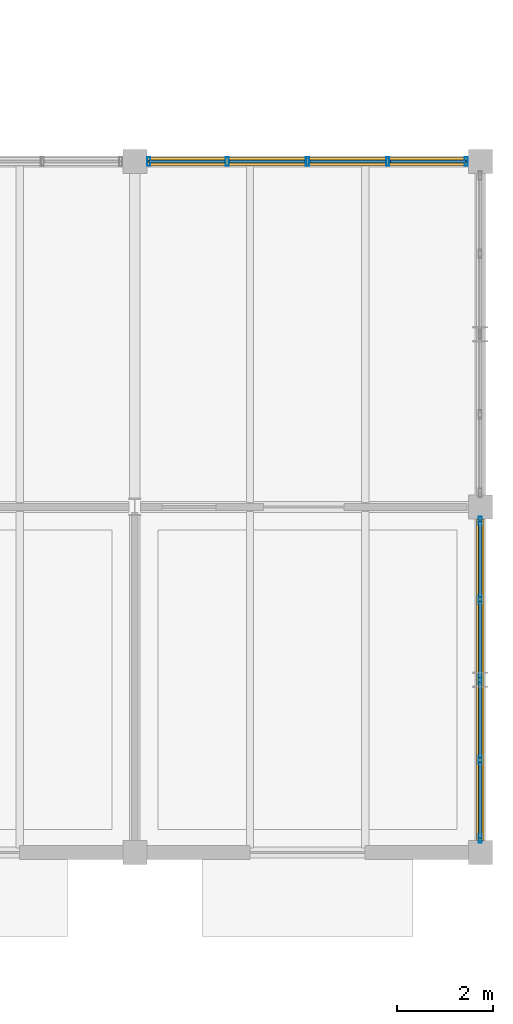
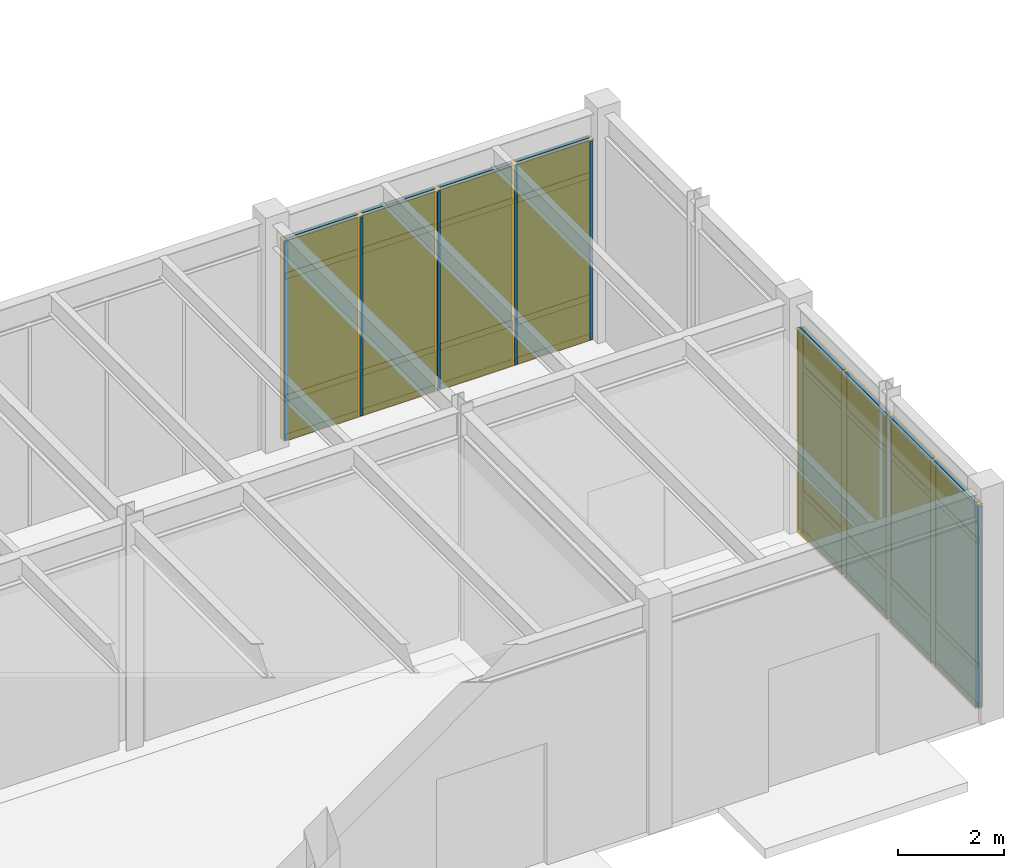
# One storey, part 79 of 97: 42 members, 16 plates, 2 curtain walls.
"""IFC4 building model written with IfcOpenShell, lengths in metres."""

from ifc_helpers import new_model, si_unit, direction, frame, origin, origin_2d, place, context, subcontext, project, spatial, rectangle, hollow_rectangle, extrude, material, layer, layer_set, material_profile, profile_set, type_object, element, aggregate, save


model = new_model("IFC4")

# Units and contexts
model_context = context("Model", 3, precision=1e-05, world=origin(), true_north=direction((0.0, 1.0)))
body_context = subcontext(model_context, "Body", "Model", "MODEL_VIEW")
ifc_project = project(units=[si_unit("LENGTHUNIT", "METRE"), si_unit("AREAUNIT", "SQUARE_METRE"), si_unit("VOLUMEUNIT", "CUBIC_METRE"), si_unit("PLANEANGLEUNIT", "RADIAN"), si_unit("MASSUNIT", "GRAM", prefix="KILO")], contexts=[model_context])

# Member
ifc_material_1 = material(Name="Anodized Aluminium 6063-T6", Category="aluminium")
ifc_material_profile_1 = material_profile(ifc_material_1, hollow_rectangle(XDim=0.06494140625, YDim=0.179931640625, WallThickness=0.00390625, at=origin_2d()), Name="ALU 65x180x4")
ifc_profile_set_1 = profile_set([ifc_material_profile_1], Name="Anodized Aluminium 6063-T6")
member_type_1 = type_object("IfcMemberType", Name="CWM-65X150", PredefinedType="MULLION", material=ifc_profile_set_1)
site_placement = place(None, origin())
building_placement = place(site_placement, origin())
storey_placement = place(building_placement, origin())
member_1_placement = place(storey_placement, frame((172.800048828125, 21.31005859375, 0.02001953125), z_axis=(0.0, 0.0, 1.0), x_axis=(1.0, 0.0, 0.0)))
member_1 = element("IfcMember", 1, at=member_1_placement, type_object=member_type_1, Name="Curtain wall mullion CW-L01-23-02-E-00", PredefinedType="MULLION", context=body_context, shape_type="SweptSolid", body=[
    extrude(hollow_rectangle(XDim=0.06494140625, YDim=0.179931640625, WallThickness=0.00390625, at=origin_2d()), origin(), (0.0, 0.0, 1.0), 4.626953125),
])

member_2_placement = place(storey_placement, frame((172.800048828125, 19.675048828125, 0.02001953125), z_axis=(0.0, 0.0, 1.0), x_axis=(1.0, 0.0, 0.0)))
member_2 = element("IfcMember", 2, at=member_2_placement, type_object=member_type_1, Name="Curtain wall mullion CW-L01-23-02-E-01", PredefinedType="MULLION", context=body_context, shape_type="SweptSolid", body=[
    extrude(hollow_rectangle(XDim=0.06494140625, YDim=0.179931640625, WallThickness=0.00390625, at=origin_2d()), origin(), (0.0, 0.0, 1.0), 4.626953125),
])

member_3_placement = place(storey_placement, frame((172.800048828125, 18.0, 0.02001953125), z_axis=(0.0, 0.0, 1.0), x_axis=(1.0, 0.0, 0.0)))
member_3 = element("IfcMember", 3, at=member_3_placement, type_object=member_type_1, Name="Curtain wall mullion CW-L01-23-02-E-02", PredefinedType="MULLION", context=body_context, shape_type="SweptSolid", body=[
    extrude(hollow_rectangle(XDim=0.06494140625, YDim=0.179931640625, WallThickness=0.00390625, at=origin_2d()), origin(), (0.0, 0.0, 1.0), 4.626953125),
])

member_4_placement = place(storey_placement, frame((172.800048828125, 16.324951171875, 0.02001953125), z_axis=(0.0, 0.0, 1.0), x_axis=(1.0, 0.0, 0.0)))
member_4 = element("IfcMember", 4, at=member_4_placement, type_object=member_type_1, Name="Curtain wall mullion CW-L01-23-02-E-03", PredefinedType="MULLION", context=body_context, shape_type="SweptSolid", body=[
    extrude(hollow_rectangle(XDim=0.06494140625, YDim=0.179931640625, WallThickness=0.00390625, at=origin_2d()), origin(), (0.0, 0.0, 1.0), 4.626953125),
])

member_5_placement = place(storey_placement, frame((172.800048828125, 14.68994140625, 0.02001953125), z_axis=(0.0, 0.0, 1.0), x_axis=(1.0, 0.0, 0.0)))
member_5 = element("IfcMember", 5, at=member_5_placement, type_object=member_type_1, Name="Curtain wall mullion CW-L01-23-02-E-04", PredefinedType="MULLION", context=body_context, shape_type="SweptSolid", body=[
    extrude(hollow_rectangle(XDim=0.06494140625, YDim=0.179931640625, WallThickness=0.00390625, at=origin_2d()), origin(), (0.0, 0.0, 1.0), 4.626953125),
])

member_6_placement = place(storey_placement, frame((165.889892578125, 28.800048828125, 0.02001953125), z_axis=(0.0, 0.0, 1.0), x_axis=(1.0, 0.0, 0.0)))
member_6 = element("IfcMember", 6, at=member_6_placement, type_object=member_type_1, Name="Curtain wall mullion CW-L01-23-03-N-00", PredefinedType="MULLION", context=body_context, shape_type="SweptSolid", body=[
    extrude(hollow_rectangle(XDim=0.06494140625, YDim=0.179931640625, WallThickness=0.00390625, at=origin_2d()), origin(), (0.0, 0.0, 1.0), 4.557861328125),
])

member_7_placement = place(storey_placement, frame((167.52490234375, 28.800048828125, 0.02001953125), z_axis=(0.0, 0.0, 1.0), x_axis=(1.0, 0.0, 0.0)))
member_7 = element("IfcMember", 7, at=member_7_placement, type_object=member_type_1, Name="Curtain wall mullion CW-L01-23-03-N-01", PredefinedType="MULLION", context=body_context, shape_type="SweptSolid", body=[
    extrude(hollow_rectangle(XDim=0.06494140625, YDim=0.179931640625, WallThickness=0.00390625, at=origin_2d()), origin(), (0.0, 0.0, 1.0), 4.557861328125),
])

member_8_placement = place(storey_placement, frame((169.199951171875, 28.800048828125, 0.02001953125), z_axis=(0.0, 0.0, 1.0), x_axis=(1.0, 0.0, 0.0)))
member_8 = element("IfcMember", 8, at=member_8_placement, type_object=member_type_1, Name="Curtain wall mullion CW-L01-23-03-N-02", PredefinedType="MULLION", context=body_context, shape_type="SweptSolid", body=[
    extrude(hollow_rectangle(XDim=0.06494140625, YDim=0.179931640625, WallThickness=0.00390625, at=origin_2d()), origin(), (0.0, 0.0, 1.0), 4.557861328125),
])

member_9_placement = place(storey_placement, frame((170.875, 28.800048828125, 0.02001953125), z_axis=(0.0, 0.0, 1.0), x_axis=(1.0, 0.0, 0.0)))
member_9 = element("IfcMember", 9, at=member_9_placement, type_object=member_type_1, Name="Curtain wall mullion CW-L01-23-03-N-03", PredefinedType="MULLION", context=body_context, shape_type="SweptSolid", body=[
    extrude(hollow_rectangle(XDim=0.06494140625, YDim=0.179931640625, WallThickness=0.00390625, at=origin_2d()), origin(), (0.0, 0.0, 1.0), 4.557861328125),
])

member_10_placement = place(storey_placement, frame((172.510009765625, 28.800048828125, 0.02001953125), z_axis=(0.0, 0.0, 1.0), x_axis=(1.0, 0.0, 0.0)))
member_10 = element("IfcMember", 10, at=member_10_placement, type_object=member_type_1, Name="Curtain wall mullion CW-L01-23-03-N-04", PredefinedType="MULLION", context=body_context, shape_type="SweptSolid", body=[
    extrude(hollow_rectangle(XDim=0.06494140625, YDim=0.179931640625, WallThickness=0.00390625, at=origin_2d()), origin(), (0.0, 0.0, 1.0), 4.557861328125),
])

ifc_material_profile_2 = material_profile(ifc_material_1, hollow_rectangle(XDim=0.06494140625, YDim=0.139892578125, WallThickness=0.00390625, at=origin_2d()), Name="ALU 65x140x4")
ifc_profile_set_2 = profile_set([ifc_material_profile_2], Name="Anodized Aluminium 6063-T6")
member_type_2 = type_object("IfcMemberType", Name="CWT-65X120", PredefinedType="USERDEFINED", material=ifc_profile_set_2)
member_11_placement = place(storey_placement, frame((172.800048828125, 21.300048828125, 0.050048828125), z_axis=(0.0, -1.0, 0.0), x_axis=(1.0, 0.0, 0.0)))
member_11 = element("IfcMember", 11, at=member_11_placement, type_object=member_type_2, Name="Curtain wall transom CW-L01-23-02-E-1.01", ObjectType="TRANSOM", PredefinedType="USERDEFINED", context=body_context, shape_type="SweptSolid", body=[
    extrude(hollow_rectangle(XDim=0.06494140625, YDim=0.139892578125, WallThickness=0.00390625, at=origin_2d()), origin(), (0.0, 0.0, 1.0), 1.574951171875),
])

member_12_placement = place(storey_placement, frame((172.800048828125, 19.625, 0.050048828125), z_axis=(0.0, -1.0, 0.0), x_axis=(1.0, 0.0, 0.0)))
member_12 = element("IfcMember", 12, at=member_12_placement, type_object=member_type_2, Name="Curtain wall transom CW-L01-23-02-E-1.02", ObjectType="TRANSOM", PredefinedType="USERDEFINED", context=body_context, shape_type="SweptSolid", body=[
    extrude(hollow_rectangle(XDim=0.06494140625, YDim=0.139892578125, WallThickness=0.00390625, at=origin_2d()), origin(), (0.0, 0.0, 1.0), 1.574951171875),
])

member_13_placement = place(storey_placement, frame((172.800048828125, 17.949951171875, 0.050048828125), z_axis=(0.0, -1.0, 0.0), x_axis=(1.0, 0.0, 0.0)))
member_13 = element("IfcMember", 13, at=member_13_placement, type_object=member_type_2, Name="Curtain wall transom CW-L01-23-02-E-1.03", ObjectType="TRANSOM", PredefinedType="USERDEFINED", context=body_context, shape_type="SweptSolid", body=[
    extrude(hollow_rectangle(XDim=0.06494140625, YDim=0.139892578125, WallThickness=0.00390625, at=origin_2d()), origin(), (0.0, 0.0, 1.0), 1.574951171875),
])

member_14_placement = place(storey_placement, frame((172.800048828125, 16.27490234375, 0.050048828125), z_axis=(0.0, -1.0, 0.0), x_axis=(1.0, 0.0, 0.0)))
member_14 = element("IfcMember", 14, at=member_14_placement, type_object=member_type_2, Name="Curtain wall transom CW-L01-23-02-E-1.04", ObjectType="TRANSOM", PredefinedType="USERDEFINED", context=body_context, shape_type="SweptSolid", body=[
    extrude(hollow_rectangle(XDim=0.06494140625, YDim=0.139892578125, WallThickness=0.00390625, at=origin_2d()), origin(), (0.0, 0.0, 1.0), 1.574951171875),
])

member_15_placement = place(storey_placement, frame((172.800048828125, 21.300048828125, 0.949951171875), z_axis=(0.0, -1.0, 0.0), x_axis=(1.0, 0.0, 0.0)))
member_15 = element("IfcMember", 15, at=member_15_placement, type_object=member_type_2, Name="Curtain wall transom CW-L01-23-02-E-2.01", ObjectType="TRANSOM", PredefinedType="USERDEFINED", context=body_context, shape_type="SweptSolid", body=[
    extrude(hollow_rectangle(XDim=0.06494140625, YDim=0.139892578125, WallThickness=0.00390625, at=origin_2d()), origin(), (0.0, 0.0, 1.0), 1.574951171875),
])

member_16_placement = place(storey_placement, frame((172.800048828125, 19.625, 0.949951171875), z_axis=(0.0, -1.0, 0.0), x_axis=(1.0, 0.0, 0.0)))
member_16 = element("IfcMember", 16, at=member_16_placement, type_object=member_type_2, Name="Curtain wall transom CW-L01-23-02-E-2.02", ObjectType="TRANSOM", PredefinedType="USERDEFINED", context=body_context, shape_type="SweptSolid", body=[
    extrude(hollow_rectangle(XDim=0.06494140625, YDim=0.139892578125, WallThickness=0.00390625, at=origin_2d()), origin(), (0.0, 0.0, 1.0), 1.574951171875),
])

member_17_placement = place(storey_placement, frame((172.800048828125, 17.949951171875, 0.949951171875), z_axis=(0.0, -1.0, 0.0), x_axis=(1.0, 0.0, 0.0)))
member_17 = element("IfcMember", 17, at=member_17_placement, type_object=member_type_2, Name="Curtain wall transom CW-L01-23-02-E-2.03", ObjectType="TRANSOM", PredefinedType="USERDEFINED", context=body_context, shape_type="SweptSolid", body=[
    extrude(hollow_rectangle(XDim=0.06494140625, YDim=0.139892578125, WallThickness=0.00390625, at=origin_2d()), origin(), (0.0, 0.0, 1.0), 1.574951171875),
])

member_18_placement = place(storey_placement, frame((172.800048828125, 16.27490234375, 0.949951171875), z_axis=(0.0, -1.0, 0.0), x_axis=(1.0, 0.0, 0.0)))
member_18 = element("IfcMember", 18, at=member_18_placement, type_object=member_type_2, Name="Curtain wall transom CW-L01-23-02-E-2.04", ObjectType="TRANSOM", PredefinedType="USERDEFINED", context=body_context, shape_type="SweptSolid", body=[
    extrude(hollow_rectangle(XDim=0.06494140625, YDim=0.139892578125, WallThickness=0.00390625, at=origin_2d()), origin(), (0.0, 0.0, 1.0), 1.574951171875),
])

member_19_placement = place(storey_placement, frame((172.800048828125, 21.300048828125, 3.81689453125), z_axis=(0.0, -1.0, 0.0), x_axis=(1.0, 0.0, 0.0)))
member_19 = element("IfcMember", 19, at=member_19_placement, type_object=member_type_2, Name="Curtain wall transom CW-L01-23-02-E-3.01", ObjectType="TRANSOM", PredefinedType="USERDEFINED", context=body_context, shape_type="SweptSolid", body=[
    extrude(hollow_rectangle(XDim=0.06494140625, YDim=0.139892578125, WallThickness=0.00390625, at=origin_2d()), origin(), (0.0, 0.0, 1.0), 1.574951171875),
])

member_20_placement = place(storey_placement, frame((172.800048828125, 19.625, 3.81689453125), z_axis=(0.0, -1.0, 0.0), x_axis=(1.0, 0.0, 0.0)))
member_20 = element("IfcMember", 20, at=member_20_placement, type_object=member_type_2, Name="Curtain wall transom CW-L01-23-02-E-3.02", ObjectType="TRANSOM", PredefinedType="USERDEFINED", context=body_context, shape_type="SweptSolid", body=[
    extrude(hollow_rectangle(XDim=0.06494140625, YDim=0.139892578125, WallThickness=0.00390625, at=origin_2d()), origin(), (0.0, 0.0, 1.0), 1.574951171875),
])

member_21_placement = place(storey_placement, frame((172.800048828125, 17.949951171875, 3.81689453125), z_axis=(0.0, -1.0, 0.0), x_axis=(1.0, 0.0, 0.0)))
member_21 = element("IfcMember", 21, at=member_21_placement, type_object=member_type_2, Name="Curtain wall transom CW-L01-23-02-E-3.03", ObjectType="TRANSOM", PredefinedType="USERDEFINED", context=body_context, shape_type="SweptSolid", body=[
    extrude(hollow_rectangle(XDim=0.06494140625, YDim=0.139892578125, WallThickness=0.00390625, at=origin_2d()), origin(), (0.0, 0.0, 1.0), 1.574951171875),
])

member_22_placement = place(storey_placement, frame((172.800048828125, 16.27490234375, 3.81689453125), z_axis=(0.0, -1.0, 0.0), x_axis=(1.0, 0.0, 0.0)))
member_22 = element("IfcMember", 22, at=member_22_placement, type_object=member_type_2, Name="Curtain wall transom CW-L01-23-02-E-3.04", ObjectType="TRANSOM", PredefinedType="USERDEFINED", context=body_context, shape_type="SweptSolid", body=[
    extrude(hollow_rectangle(XDim=0.06494140625, YDim=0.139892578125, WallThickness=0.00390625, at=origin_2d()), origin(), (0.0, 0.0, 1.0), 1.574951171875),
])

member_23_placement = place(storey_placement, frame((172.800048828125, 21.300048828125, 4.616943359375), z_axis=(0.0, -1.0, 0.0), x_axis=(1.0, 0.0, 0.0)))
member_23 = element("IfcMember", 23, at=member_23_placement, type_object=member_type_2, Name="Curtain wall transom CW-L01-23-02-E-4.01", ObjectType="TRANSOM", PredefinedType="USERDEFINED", context=body_context, shape_type="SweptSolid", body=[
    extrude(hollow_rectangle(XDim=0.06494140625, YDim=0.139892578125, WallThickness=0.00390625, at=origin_2d()), origin(), (0.0, 0.0, 1.0), 1.574951171875),
])

member_24_placement = place(storey_placement, frame((172.800048828125, 19.625, 4.616943359375), z_axis=(0.0, -1.0, 0.0), x_axis=(1.0, 0.0, 0.0)))
member_24 = element("IfcMember", 24, at=member_24_placement, type_object=member_type_2, Name="Curtain wall transom CW-L01-23-02-E-4.02", ObjectType="TRANSOM", PredefinedType="USERDEFINED", context=body_context, shape_type="SweptSolid", body=[
    extrude(hollow_rectangle(XDim=0.06494140625, YDim=0.139892578125, WallThickness=0.00390625, at=origin_2d()), origin(), (0.0, 0.0, 1.0), 1.574951171875),
])

member_25_placement = place(storey_placement, frame((172.800048828125, 17.949951171875, 4.616943359375), z_axis=(0.0, -1.0, 0.0), x_axis=(1.0, 0.0, 0.0)))
member_25 = element("IfcMember", 25, at=member_25_placement, type_object=member_type_2, Name="Curtain wall transom CW-L01-23-02-E-4.03", ObjectType="TRANSOM", PredefinedType="USERDEFINED", context=body_context, shape_type="SweptSolid", body=[
    extrude(hollow_rectangle(XDim=0.06494140625, YDim=0.139892578125, WallThickness=0.00390625, at=origin_2d()), origin(), (0.0, 0.0, 1.0), 1.574951171875),
])

member_26_placement = place(storey_placement, frame((172.800048828125, 16.27490234375, 4.616943359375), z_axis=(0.0, -1.0, 0.0), x_axis=(1.0, 0.0, 0.0)))
member_26 = element("IfcMember", 26, at=member_26_placement, type_object=member_type_2, Name="Curtain wall transom CW-L01-23-02-E-4.04", ObjectType="TRANSOM", PredefinedType="USERDEFINED", context=body_context, shape_type="SweptSolid", body=[
    extrude(hollow_rectangle(XDim=0.06494140625, YDim=0.139892578125, WallThickness=0.00390625, at=origin_2d()), origin(), (0.0, 0.0, 1.0), 1.574951171875),
])

member_27_placement = place(storey_placement, frame((165.89990234375, 28.800048828125, 0.050048828125), z_axis=(1.0, 0.0, 0.0), x_axis=(0.0, 1.0, 0.0)))
member_27 = element("IfcMember", 27, at=member_27_placement, type_object=member_type_2, Name="Curtain wall transom CW-L01-23-03-N-1.01", ObjectType="TRANSOM", PredefinedType="USERDEFINED", context=body_context, shape_type="SweptSolid", body=[
    extrude(hollow_rectangle(XDim=0.06494140625, YDim=0.139892578125, WallThickness=0.00390625, at=origin_2d()), origin(), (0.0, 0.0, 1.0), 1.5751953125),
])

member_28_placement = place(storey_placement, frame((167.574951171875, 28.800048828125, 0.050048828125), z_axis=(1.0, 0.0, 0.0), x_axis=(0.0, 1.0, 0.0)))
member_28 = element("IfcMember", 28, at=member_28_placement, type_object=member_type_2, Name="Curtain wall transom CW-L01-23-03-N-1.02", ObjectType="TRANSOM", PredefinedType="USERDEFINED", context=body_context, shape_type="SweptSolid", body=[
    extrude(hollow_rectangle(XDim=0.06494140625, YDim=0.139892578125, WallThickness=0.00390625, at=origin_2d()), origin(), (0.0, 0.0, 1.0), 1.574951171875),
])

member_29_placement = place(storey_placement, frame((169.25, 28.800048828125, 0.050048828125), z_axis=(1.0, 0.0, 0.0), x_axis=(0.0, 1.0, 0.0)))
member_29 = element("IfcMember", 29, at=member_29_placement, type_object=member_type_2, Name="Curtain wall transom CW-L01-23-03-N-1.03", ObjectType="TRANSOM", PredefinedType="USERDEFINED", context=body_context, shape_type="SweptSolid", body=[
    extrude(hollow_rectangle(XDim=0.06494140625, YDim=0.139892578125, WallThickness=0.00390625, at=origin_2d()), origin(), (0.0, 0.0, 1.0), 1.574951171875),
])

member_30_placement = place(storey_placement, frame((170.925048828125, 28.800048828125, 0.050048828125), z_axis=(1.0, 0.0, 0.0), x_axis=(0.0, 1.0, 0.0)))
member_30 = element("IfcMember", 30, at=member_30_placement, type_object=member_type_2, Name="Curtain wall transom CW-L01-23-03-N-1.04", ObjectType="TRANSOM", PredefinedType="USERDEFINED", context=body_context, shape_type="SweptSolid", body=[
    extrude(hollow_rectangle(XDim=0.06494140625, YDim=0.139892578125, WallThickness=0.00390625, at=origin_2d()), origin(), (0.0, 0.0, 1.0), 1.574951171875),
])

member_31_placement = place(storey_placement, frame((165.89990234375, 28.800048828125, 0.949951171875), z_axis=(1.0, 0.0, 0.0), x_axis=(0.0, 1.0, 0.0)))
member_31 = element("IfcMember", 31, at=member_31_placement, type_object=member_type_2, Name="Curtain wall transom CW-L01-23-03-N-2.01", ObjectType="TRANSOM", PredefinedType="USERDEFINED", context=body_context, shape_type="SweptSolid", body=[
    extrude(hollow_rectangle(XDim=0.06494140625, YDim=0.139892578125, WallThickness=0.00390625, at=origin_2d()), origin(), (0.0, 0.0, 1.0), 1.5751953125),
])

member_32_placement = place(storey_placement, frame((167.574951171875, 28.800048828125, 0.949951171875), z_axis=(1.0, 0.0, 0.0), x_axis=(0.0, 1.0, 0.0)))
member_32 = element("IfcMember", 32, at=member_32_placement, type_object=member_type_2, Name="Curtain wall transom CW-L01-23-03-N-2.02", ObjectType="TRANSOM", PredefinedType="USERDEFINED", context=body_context, shape_type="SweptSolid", body=[
    extrude(hollow_rectangle(XDim=0.06494140625, YDim=0.139892578125, WallThickness=0.00390625, at=origin_2d()), origin(), (0.0, 0.0, 1.0), 1.574951171875),
])

member_33_placement = place(storey_placement, frame((169.25, 28.800048828125, 0.949951171875), z_axis=(1.0, 0.0, 0.0), x_axis=(0.0, 1.0, 0.0)))
member_33 = element("IfcMember", 33, at=member_33_placement, type_object=member_type_2, Name="Curtain wall transom CW-L01-23-03-N-2.03", ObjectType="TRANSOM", PredefinedType="USERDEFINED", context=body_context, shape_type="SweptSolid", body=[
    extrude(hollow_rectangle(XDim=0.06494140625, YDim=0.139892578125, WallThickness=0.00390625, at=origin_2d()), origin(), (0.0, 0.0, 1.0), 1.574951171875),
])

member_34_placement = place(storey_placement, frame((170.925048828125, 28.800048828125, 0.949951171875), z_axis=(1.0, 0.0, 0.0), x_axis=(0.0, 1.0, 0.0)))
member_34 = element("IfcMember", 34, at=member_34_placement, type_object=member_type_2, Name="Curtain wall transom CW-L01-23-03-N-2.04", ObjectType="TRANSOM", PredefinedType="USERDEFINED", context=body_context, shape_type="SweptSolid", body=[
    extrude(hollow_rectangle(XDim=0.06494140625, YDim=0.139892578125, WallThickness=0.00390625, at=origin_2d()), origin(), (0.0, 0.0, 1.0), 1.574951171875),
])

member_35_placement = place(storey_placement, frame((165.89990234375, 28.800048828125, 3.748046875), z_axis=(1.0, 0.0, 0.0), x_axis=(0.0, 1.0, 0.0)))
member_35 = element("IfcMember", 35, at=member_35_placement, type_object=member_type_2, Name="Curtain wall transom CW-L01-23-03-N-3.01", ObjectType="TRANSOM", PredefinedType="USERDEFINED", context=body_context, shape_type="SweptSolid", body=[
    extrude(hollow_rectangle(XDim=0.06494140625, YDim=0.139892578125, WallThickness=0.00390625, at=origin_2d()), origin(), (0.0, 0.0, 1.0), 1.5751953125),
])

member_36_placement = place(storey_placement, frame((167.574951171875, 28.800048828125, 3.748046875), z_axis=(1.0, 0.0, 0.0), x_axis=(0.0, 1.0, 0.0)))
member_36 = element("IfcMember", 36, at=member_36_placement, type_object=member_type_2, Name="Curtain wall transom CW-L01-23-03-N-3.02", ObjectType="TRANSOM", PredefinedType="USERDEFINED", context=body_context, shape_type="SweptSolid", body=[
    extrude(hollow_rectangle(XDim=0.06494140625, YDim=0.139892578125, WallThickness=0.00390625, at=origin_2d()), origin(), (0.0, 0.0, 1.0), 1.574951171875),
])

member_37_placement = place(storey_placement, frame((169.25, 28.800048828125, 3.748046875), z_axis=(1.0, 0.0, 0.0), x_axis=(0.0, 1.0, 0.0)))
member_37 = element("IfcMember", 37, at=member_37_placement, type_object=member_type_2, Name="Curtain wall transom CW-L01-23-03-N-3.03", ObjectType="TRANSOM", PredefinedType="USERDEFINED", context=body_context, shape_type="SweptSolid", body=[
    extrude(hollow_rectangle(XDim=0.06494140625, YDim=0.139892578125, WallThickness=0.00390625, at=origin_2d()), origin(), (0.0, 0.0, 1.0), 1.574951171875),
])

member_38_placement = place(storey_placement, frame((170.925048828125, 28.800048828125, 3.748046875), z_axis=(1.0, 0.0, 0.0), x_axis=(0.0, 1.0, 0.0)))
member_38 = element("IfcMember", 38, at=member_38_placement, type_object=member_type_2, Name="Curtain wall transom CW-L01-23-03-N-3.04", ObjectType="TRANSOM", PredefinedType="USERDEFINED", context=body_context, shape_type="SweptSolid", body=[
    extrude(hollow_rectangle(XDim=0.06494140625, YDim=0.139892578125, WallThickness=0.00390625, at=origin_2d()), origin(), (0.0, 0.0, 1.0), 1.574951171875),
])

member_39_placement = place(storey_placement, frame((165.89990234375, 28.800048828125, 4.548095703125), z_axis=(1.0, 0.0, 0.0), x_axis=(0.0, 1.0, 0.0)))
member_39 = element("IfcMember", 39, at=member_39_placement, type_object=member_type_2, Name="Curtain wall transom CW-L01-23-03-N-4.01", ObjectType="TRANSOM", PredefinedType="USERDEFINED", context=body_context, shape_type="SweptSolid", body=[
    extrude(hollow_rectangle(XDim=0.06494140625, YDim=0.139892578125, WallThickness=0.00390625, at=origin_2d()), origin(), (0.0, 0.0, 1.0), 1.5751953125),
])

member_40_placement = place(storey_placement, frame((167.574951171875, 28.800048828125, 4.548095703125), z_axis=(1.0, 0.0, 0.0), x_axis=(0.0, 1.0, 0.0)))
member_40 = element("IfcMember", 40, at=member_40_placement, type_object=member_type_2, Name="Curtain wall transom CW-L01-23-03-N-4.02", ObjectType="TRANSOM", PredefinedType="USERDEFINED", context=body_context, shape_type="SweptSolid", body=[
    extrude(hollow_rectangle(XDim=0.06494140625, YDim=0.139892578125, WallThickness=0.00390625, at=origin_2d()), origin(), (0.0, 0.0, 1.0), 1.574951171875),
])

member_41_placement = place(storey_placement, frame((169.25, 28.800048828125, 4.548095703125), z_axis=(1.0, 0.0, 0.0), x_axis=(0.0, 1.0, 0.0)))
member_41 = element("IfcMember", 41, at=member_41_placement, type_object=member_type_2, Name="Curtain wall transom CW-L01-23-03-N-4.03", ObjectType="TRANSOM", PredefinedType="USERDEFINED", context=body_context, shape_type="SweptSolid", body=[
    extrude(hollow_rectangle(XDim=0.06494140625, YDim=0.139892578125, WallThickness=0.00390625, at=origin_2d()), origin(), (0.0, 0.0, 1.0), 1.574951171875),
])

member_42_placement = place(storey_placement, frame((170.925048828125, 28.800048828125, 4.548095703125), z_axis=(1.0, 0.0, 0.0), x_axis=(0.0, 1.0, 0.0)))
member_42 = element("IfcMember", 42, at=member_42_placement, type_object=member_type_2, Name="Curtain wall transom CW-L01-23-03-N-4.04", ObjectType="TRANSOM", PredefinedType="USERDEFINED", context=body_context, shape_type="SweptSolid", body=[
    extrude(hollow_rectangle(XDim=0.06494140625, YDim=0.139892578125, WallThickness=0.00390625, at=origin_2d()), origin(), (0.0, 0.0, 1.0), 1.574951171875),
])

# Plate
ifc_material_2 = material(Name="Double Low-E Insulated Glazing Unit", Category="glass")
ifc_layer_1 = layer(ifc_material_2, 0.0380859375)
ifc_layer_set_1 = layer_set([ifc_layer_1], Name="Double Low-E Insulated Glazing Unit")
plate_type_1 = type_object("IfcPlateType", Name="CWP-IGU-38", PredefinedType="CURTAIN_PANEL", material=ifc_layer_set_1)
plate_1_placement = place(storey_placement, frame((172.800048828125, 20.512451171875, 0.990234375), z_axis=(0.0, 0.0, 1.0), x_axis=(0.0, -1.0, 0.0)))
plate_1 = element("IfcPlate", 43, at=plate_1_placement, type_object=plate_type_1, Name="Curtain wall vision glazing CW-L01-23-02-E-01", PredefinedType="CURTAIN_PANEL", context=body_context, shape_type="SweptSolid", body=[
    extrude(rectangle(XDim=1.5849609375, YDim=0.0400390625, at=origin_2d()), origin(), (0.0, 0.0, 1.0), 3.616943359375),
])

plate_2_placement = place(storey_placement, frame((172.800048828125, 18.83740234375, 0.990234375), z_axis=(0.0, 0.0, 1.0), x_axis=(0.0, -1.0, 0.0)))
plate_2 = element("IfcPlate", 44, at=plate_2_placement, type_object=plate_type_1, Name="Curtain wall vision glazing CW-L01-23-02-E-02", PredefinedType="CURTAIN_PANEL", context=body_context, shape_type="SweptSolid", body=[
    extrude(rectangle(XDim=1.5849609375, YDim=0.0400390625, at=origin_2d()), origin(), (0.0, 0.0, 1.0), 3.616943359375),
])

plate_3_placement = place(storey_placement, frame((172.800048828125, 17.16259765625, 0.990234375), z_axis=(0.0, 0.0, 1.0), x_axis=(0.0, -1.0, 0.0)))
plate_3 = element("IfcPlate", 45, at=plate_3_placement, type_object=plate_type_1, Name="Curtain wall vision glazing CW-L01-23-02-E-03", PredefinedType="CURTAIN_PANEL", context=body_context, shape_type="SweptSolid", body=[
    extrude(rectangle(XDim=1.5849609375, YDim=0.0400390625, at=origin_2d()), origin(), (0.0, 0.0, 1.0), 3.616943359375),
])

plate_4_placement = place(storey_placement, frame((172.800048828125, 15.487548828125, 0.990234375), z_axis=(0.0, 0.0, 1.0), x_axis=(0.0, -1.0, 0.0)))
plate_4 = element("IfcPlate", 46, at=plate_4_placement, type_object=plate_type_1, Name="Curtain wall vision glazing CW-L01-23-02-E-04", PredefinedType="CURTAIN_PANEL", context=body_context, shape_type="SweptSolid", body=[
    extrude(rectangle(XDim=1.5849609375, YDim=0.0400390625, at=origin_2d()), origin(), (0.0, 0.0, 1.0), 3.616943359375),
])

plate_5_placement = place(storey_placement, frame((166.6875, 28.800048828125, 0.98974609375), z_axis=(0.0, 0.0, 1.0), x_axis=(1.0, 0.0, 0.0)))
plate_5 = element("IfcPlate", 47, at=plate_5_placement, type_object=plate_type_1, Name="Curtain wall vision glazing CW-L01-23-03-N-01", PredefinedType="CURTAIN_PANEL", context=body_context, shape_type="SweptSolid", body=[
    extrude(rectangle(XDim=1.5849609375, YDim=0.0400390625, at=origin_2d()), origin(), (0.0, 0.0, 1.0), 3.548095703125),
])

plate_6_placement = place(storey_placement, frame((168.362548828125, 28.800048828125, 0.98974609375), z_axis=(0.0, 0.0, 1.0), x_axis=(1.0, 0.0, 0.0)))
plate_6 = element("IfcPlate", 48, at=plate_6_placement, type_object=plate_type_1, Name="Curtain wall vision glazing CW-L01-23-03-N-02", PredefinedType="CURTAIN_PANEL", context=body_context, shape_type="SweptSolid", body=[
    extrude(rectangle(XDim=1.5849609375, YDim=0.0400390625, at=origin_2d()), origin(), (0.0, 0.0, 1.0), 3.548095703125),
])

plate_7_placement = place(storey_placement, frame((170.03759765625, 28.800048828125, 0.98974609375), z_axis=(0.0, 0.0, 1.0), x_axis=(1.0, 0.0, 0.0)))
plate_7 = element("IfcPlate", 49, at=plate_7_placement, type_object=plate_type_1, Name="Curtain wall vision glazing CW-L01-23-03-N-03", PredefinedType="CURTAIN_PANEL", context=body_context, shape_type="SweptSolid", body=[
    extrude(rectangle(XDim=1.5849609375, YDim=0.0400390625, at=origin_2d()), origin(), (0.0, 0.0, 1.0), 3.548095703125),
])

plate_8_placement = place(storey_placement, frame((171.71240234375, 28.800048828125, 0.98974609375), z_axis=(0.0, 0.0, 1.0), x_axis=(1.0, 0.0, 0.0)))
plate_8 = element("IfcPlate", 50, at=plate_8_placement, type_object=plate_type_1, Name="Curtain wall vision glazing CW-L01-23-03-N-04", PredefinedType="CURTAIN_PANEL", context=body_context, shape_type="SweptSolid", body=[
    extrude(rectangle(XDim=1.5849609375, YDim=0.0400390625, at=origin_2d()), origin(), (0.0, 0.0, 1.0), 3.548095703125),
])

ifc_material_3 = material(Name="Insulated Bronze Aluminium Spandrel", Category="aluminium")
ifc_layer_2 = layer(ifc_material_3, 0.06005859375)
ifc_layer_set_2 = layer_set([ifc_layer_2], Name="Insulated Bronze Aluminium Spandrel")
plate_type_2 = type_object("IfcPlateType", Name="CWP-SPN-60", PredefinedType="CURTAIN_PANEL", material=ifc_layer_set_2)
plate_9_placement = place(storey_placement, frame((172.800048828125, 20.512451171875, 0.080078125), z_axis=(0.0, 0.0, 1.0), x_axis=(0.0, -1.0, 0.0)))
plate_9 = element("IfcPlate", 51, at=plate_9_placement, type_object=plate_type_2, Name="Curtain wall spandrel panel CW-L01-23-02-E-01", PredefinedType="CURTAIN_PANEL", context=body_context, shape_type="SweptSolid", body=[
    extrude(rectangle(XDim=1.5849609375, YDim=0.06005859375, at=origin_2d()), origin(), (0.0, 0.0, 1.0), 0.840087890625),
])

plate_10_placement = place(storey_placement, frame((172.800048828125, 18.83740234375, 0.080078125), z_axis=(0.0, 0.0, 1.0), x_axis=(0.0, -1.0, 0.0)))
plate_10 = element("IfcPlate", 52, at=plate_10_placement, type_object=plate_type_2, Name="Curtain wall spandrel panel CW-L01-23-02-E-02", PredefinedType="CURTAIN_PANEL", context=body_context, shape_type="SweptSolid", body=[
    extrude(rectangle(XDim=1.5849609375, YDim=0.06005859375, at=origin_2d()), origin(), (0.0, 0.0, 1.0), 0.840087890625),
])

plate_11_placement = place(storey_placement, frame((172.800048828125, 17.16259765625, 0.080078125), z_axis=(0.0, 0.0, 1.0), x_axis=(0.0, -1.0, 0.0)))
plate_11 = element("IfcPlate", 53, at=plate_11_placement, type_object=plate_type_2, Name="Curtain wall spandrel panel CW-L01-23-02-E-03", PredefinedType="CURTAIN_PANEL", context=body_context, shape_type="SweptSolid", body=[
    extrude(rectangle(XDim=1.5849609375, YDim=0.06005859375, at=origin_2d()), origin(), (0.0, 0.0, 1.0), 0.840087890625),
])

plate_12_placement = place(storey_placement, frame((172.800048828125, 15.487548828125, 0.080078125), z_axis=(0.0, 0.0, 1.0), x_axis=(0.0, -1.0, 0.0)))
plate_12 = element("IfcPlate", 54, at=plate_12_placement, type_object=plate_type_2, Name="Curtain wall spandrel panel CW-L01-23-02-E-04", PredefinedType="CURTAIN_PANEL", context=body_context, shape_type="SweptSolid", body=[
    extrude(rectangle(XDim=1.5849609375, YDim=0.06005859375, at=origin_2d()), origin(), (0.0, 0.0, 1.0), 0.840087890625),
])

plate_13_placement = place(storey_placement, frame((166.6875, 28.800048828125, 0.080078125), z_axis=(0.0, 0.0, 1.0), x_axis=(1.0, 0.0, 0.0)))
plate_13 = element("IfcPlate", 55, at=plate_13_placement, type_object=plate_type_2, Name="Curtain wall spandrel panel CW-L01-23-03-N-01", PredefinedType="CURTAIN_PANEL", context=body_context, shape_type="SweptSolid", body=[
    extrude(rectangle(XDim=1.5849609375, YDim=0.06005859375, at=origin_2d()), origin(), (0.0, 0.0, 1.0), 0.840087890625),
])

plate_14_placement = place(storey_placement, frame((168.362548828125, 28.800048828125, 0.080078125), z_axis=(0.0, 0.0, 1.0), x_axis=(1.0, 0.0, 0.0)))
plate_14 = element("IfcPlate", 56, at=plate_14_placement, type_object=plate_type_2, Name="Curtain wall spandrel panel CW-L01-23-03-N-02", PredefinedType="CURTAIN_PANEL", context=body_context, shape_type="SweptSolid", body=[
    extrude(rectangle(XDim=1.5849609375, YDim=0.06005859375, at=origin_2d()), origin(), (0.0, 0.0, 1.0), 0.840087890625),
])

plate_15_placement = place(storey_placement, frame((170.03759765625, 28.800048828125, 0.080078125), z_axis=(0.0, 0.0, 1.0), x_axis=(1.0, 0.0, 0.0)))
plate_15 = element("IfcPlate", 57, at=plate_15_placement, type_object=plate_type_2, Name="Curtain wall spandrel panel CW-L01-23-03-N-03", PredefinedType="CURTAIN_PANEL", context=body_context, shape_type="SweptSolid", body=[
    extrude(rectangle(XDim=1.5849609375, YDim=0.06005859375, at=origin_2d()), origin(), (0.0, 0.0, 1.0), 0.840087890625),
])

plate_16_placement = place(storey_placement, frame((171.71240234375, 28.800048828125, 0.080078125), z_axis=(0.0, 0.0, 1.0), x_axis=(1.0, 0.0, 0.0)))
plate_16 = element("IfcPlate", 58, at=plate_16_placement, type_object=plate_type_2, Name="Curtain wall spandrel panel CW-L01-23-03-N-04", PredefinedType="CURTAIN_PANEL", context=body_context, shape_type="SweptSolid", body=[
    extrude(rectangle(XDim=1.5849609375, YDim=0.06005859375, at=origin_2d()), origin(), (0.0, 0.0, 1.0), 0.840087890625),
])

# Site, building, storey
site = spatial("IfcSite", under=ifc_project, at=site_placement, CompositionType="ELEMENT")
building = spatial("IfcBuilding", under=site, at=building_placement, Name="Sillqori Civic Hall", CompositionType="ELEMENT")
storey = spatial("IfcBuildingStorey", under=building, at=storey_placement, Name="L01", CompositionType="ELEMENT", Elevation=0.0)

# Curtain wall
ifc_material_4 = material(Name="Anodized Aluminium Curtain Wall System", Category="aluminium")
curtain_wall_type = type_object("IfcCurtainWallType", Name="CW-SF-540", PredefinedType="NOTDEFINED", material=ifc_material_4)
curtain_wall_1_placement = place(storey_placement, frame((172.800048828125, 18.0, 0.0), z_axis=(0.0, 0.0, 1.0), x_axis=(0.0, -1.0, 0.0)))
curtain_wall_1 = element("IfcCurtainWall", 59, at=curtain_wall_1_placement, inside=storey, type_object=curtain_wall_type, Name="L01 unitised curtain wall CW-L01-23-02-E", PredefinedType="NOTDEFINED", context=body_context, shape_type="SweptSolid", body=[
    extrude(rectangle(XDim=6.699951171875, YDim=0.159912109375, at=origin_2d()), origin(), (0.0, 0.0, 1.0), 4.6669921875),
])

aggregate(curtain_wall_1, [member_1, member_2, member_3, member_4, member_5, member_11, member_12, member_13, member_14, member_15, member_16, member_17, member_18, member_19, member_20, member_21, member_22, member_23, member_24, member_25, member_26, plate_9, plate_1, plate_10, plate_2, plate_11, plate_3, plate_12, plate_4])

curtain_wall_2_placement = place(storey_placement, frame((169.199951171875, 28.800048828125, 0.0), z_axis=(0.0, 0.0, 1.0), x_axis=(1.0, 0.0, 0.0)))
curtain_wall_2 = element("IfcCurtainWall", 60, at=curtain_wall_2_placement, inside=storey, type_object=curtain_wall_type, Name="L01 unitised curtain wall CW-L01-23-03-N", PredefinedType="NOTDEFINED", context=body_context, shape_type="SweptSolid", body=[
    extrude(rectangle(XDim=6.699951171875, YDim=0.159912109375, at=origin_2d()), origin(), (0.0, 0.0, 1.0), 4.597900390625),
])

aggregate(curtain_wall_2, [member_6, member_7, member_8, member_9, member_10, member_27, member_28, member_29, member_30, member_31, member_32, member_33, member_34, member_35, member_36, member_37, member_38, member_39, member_40, member_41, member_42, plate_13, plate_5, plate_14, plate_6, plate_15, plate_7, plate_16, plate_8])

save(model, "model.ifc")
